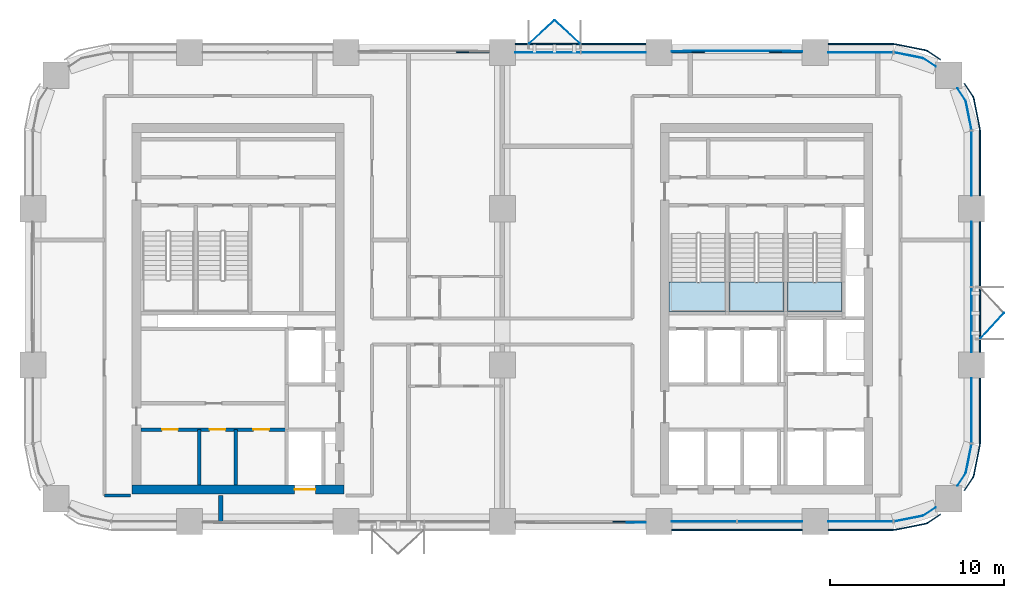
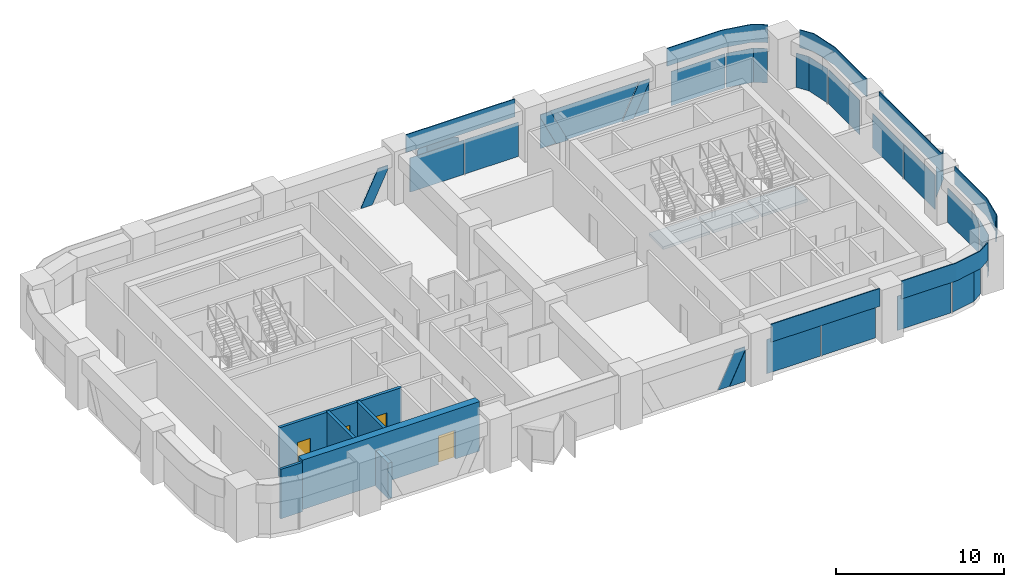
# One storey, part 7 of 13: 32 plates, 6 walls, 4 doors, 3 slabs, 4 openings, 13 elements without a shape of their own.
"""IFC4 building model written with IfcOpenShell, lengths in metres."""

import ifcopenshell
import ifcopenshell.guid

model = None  # the IFC model being written
_history = None  # IfcOwnerHistory: only IFC2X3 demands one
_inside = {}  # id of a spatial element -> (the spatial element, [elements in it])
_under = {}  # id of a project, library or spatial element -> (it, [spatial elements below it])
_declared = {}  # id of a project -> (the project, [libraries it declares])
_typed = {}  # id of a type object -> (the type object, [elements of that type])
_made_of = {}  # id of a material, layer set ... -> (it, [elements and type objects made of it])


def new_model(schema):
    """Start an empty IFC model of exactly this schema.

    Asked for "IFC4X3", IfcOpenShell would pick the latest addendum, in which some entities
    have other attributes; the version numbers below select the first issue.
    IFC2X3 requires an IfcOwnerHistory on every rooted entity: one is made here for all.
    """
    global model, _history
    if schema == "IFC4X3":
        model = ifcopenshell.file(schema_version=(4, 3, 0, 0))
    else:
        model = ifcopenshell.file(schema=schema)
    _inside.clear()
    _under.clear()
    _declared.clear()
    _typed.clear()
    _made_of.clear()
    _history = None
    if model.schema == "IFC2X3":
        org = make("IfcOrganization", Name="unknown")
        user = make(
            "IfcPersonAndOrganization",
            ThePerson=make("IfcPerson", FamilyName="unknown"),
            TheOrganization=org,
        )
        app = make(
            "IfcApplication",
            ApplicationDeveloper=org,
            Version="unknown",
            ApplicationFullName="unknown",
            ApplicationIdentifier="unknown",
        )
        _history = make(
            "IfcOwnerHistory",
            OwningUser=user,
            OwningApplication=app,
            ChangeAction="ADDED",
            CreationDate=0,
        )
    return model


def make(cls, **values):
    """One entity of the class cls with the attributes given. An attribute that is None is left unset."""
    return model.create_entity(
        cls, **{name: value for name, value in values.items() if value is not None}
    )


def rooted(cls, **values):
    """An entity with a GlobalId (a new one), such as an element, a storey or a relation."""
    return make(cls, GlobalId=ifcopenshell.guid.new(), OwnerHistory=_history, **values)


def si_unit(unit_type, name, prefix=None):
    """IfcSIUnit, for example si_unit("LENGTHUNIT", "METRE", prefix="MILLI")."""
    return make("IfcSIUnit", UnitType=unit_type, Prefix=prefix, Name=name)


def assignment(units):
    """IfcUnitAssignment: the units of a project."""
    return None if units is None else make("IfcUnitAssignment", Units=units)


def point(xyz):
    """IfcCartesianPoint."""
    return None if xyz is None else make("IfcCartesianPoint", Coordinates=xyz)


def direction(xyz):
    """IfcDirection."""
    return None if xyz is None else make("IfcDirection", DirectionRatios=xyz)


def frame(location, z_axis=None, x_axis=None):
    """IfcAxis2Placement3D, a coordinate frame: its origin and axes. An axis left out is left unset."""
    return make(
        "IfcAxis2Placement3D",
        Location=point(location),
        Axis=direction(z_axis),
        RefDirection=direction(x_axis),
    )


def frame_2d(location, x_axis=None):
    """IfcAxis2Placement2D, a coordinate frame in the plane: its origin and x axis."""
    return make(
        "IfcAxis2Placement2D", Location=point(location), RefDirection=direction(x_axis)
    )


def origin():
    """The frame at (0, 0, 0) with its axes left unset."""
    return frame((0.0, 0.0, 0.0))


def origin_2d():
    """The frame at (0, 0) in the plane with its x axis left unset."""
    return frame_2d((0.0, 0.0))


def place(relative_to, where):
    """IfcLocalPlacement: puts the frame where relative to a parent placement (None: the world)."""
    return make(
        "IfcLocalPlacement", PlacementRelTo=relative_to, RelativePlacement=where
    )


def context(
    kind, dimensions, precision=None, world=None, true_north=None, identifier=None
):
    """IfcGeometricRepresentationContext, for example the 3D "Model" context."""
    return make(
        "IfcGeometricRepresentationContext",
        ContextIdentifier=identifier,
        ContextType=kind,
        CoordinateSpaceDimension=dimensions,
        Precision=precision,
        WorldCoordinateSystem=world,
        TrueNorth=true_north,
    )


def subcontext(parent, identifier, kind, view, scale=None):
    """IfcGeometricRepresentationSubContext, for example "Body" below "Model"."""
    return make(
        "IfcGeometricRepresentationSubContext",
        ContextIdentifier=identifier,
        ContextType=kind,
        ParentContext=parent,
        TargetScale=scale,
        TargetView=view,
    )


def project(units=None, contexts=None):
    """IfcProject with its units and contexts."""
    return rooted(
        "IfcProject",
        Name="project",
        RepresentationContexts=contexts,
        UnitsInContext=assignment(units),
    )


def spatial(cls, under=None, at=None, **own):
    """A site, building, storey or space (cls), placed at a placement, below another one or the project."""
    s = rooted(cls, ObjectPlacement=at, **own)
    if under is not None:
        _under.setdefault(under.id(), (under, []))[1].append(s)
    return s


def polyline(points):
    """IfcPolyline through the points."""
    return make("IfcPolyline", Points=[point(p) for p in points])


def profile(cls, at=None, kind="AREA", **sizes):
    """A parametric profile (cls). Its sizes go by their IFC names, for example OverallWidth=200.0."""
    return make(cls, ProfileType=kind, Position=at, **sizes)


def rectangle(**sizes):
    """IfcRectangleProfileDef."""
    return profile("IfcRectangleProfileDef", **sizes)


def outline(outer, holes=None, kind="AREA"):
    """IfcArbitraryClosedProfileDef: a profile drawn as a closed curve; with holes, ...WithVoids."""
    if holes is None:
        return make("IfcArbitraryClosedProfileDef", ProfileType=kind, OuterCurve=outer)
    return make(
        "IfcArbitraryProfileDefWithVoids",
        ProfileType=kind,
        OuterCurve=outer,
        InnerCurves=holes,
    )


def extrude(swept, where, along, depth):
    """IfcExtrudedAreaSolid: the profile swept, set in the frame where, extruded along a direction by depth."""
    return make(
        "IfcExtrudedAreaSolid",
        SweptArea=swept,
        Position=where,
        ExtrudedDirection=direction(along),
        Depth=depth,
    )


def shape(context_of_items, identifier, shape_type, items):
    """IfcShapeRepresentation: the items that make up one representation, for example the "Body"."""
    return make(
        "IfcShapeRepresentation",
        ContextOfItems=context_of_items,
        RepresentationIdentifier=identifier,
        RepresentationType=shape_type,
        Items=items,
    )


def material(Name=None, Category=None):
    """IfcMaterial."""
    return make("IfcMaterial", Name=Name, Category=Category)


def layer(
    of_material, thickness, ventilated=None, Name=None, Category=None, Priority=None
):
    """IfcMaterialLayer: one layer of a wall or slab, of a material (None: an air gap)."""
    return make(
        "IfcMaterialLayer",
        Material=of_material,
        LayerThickness=thickness,
        IsVentilated=ventilated,
        Name=Name,
        Category=Category,
        Priority=Priority,
    )


def layer_set(layers, Name=None):
    """IfcMaterialLayerSet."""
    return make("IfcMaterialLayerSet", MaterialLayers=layers, LayerSetName=Name)


def made_of(thing, what):
    """Note that an element or type object is made of a material, layer set ...; save() writes the relation."""
    if what is not None:
        _made_of.setdefault(what.id(), (what, []))[1].append(thing)
    return thing


def type_object(cls, material=None, **own):
    """A type object (cls), such as IfcWallType, which elements share."""
    return made_of(rooted(cls, **own), material)


def element(
    cls,
    number,
    at=None,
    inside=None,
    cuts=None,
    type_object=None,
    material=None,
    context=None,
    identifier="Body",
    shape_type=None,
    held_by="IfcProductDefinitionShape",
    body=None,
    shapes=None,
    **own,
):
    """One element of the class cls, such as IfcWall. Its Tag is "e" and its number.

    at: its placement. inside: the storey or other place that contains it. cuts: it is an
    opening in that element (IfcRelVoidsElement). A single representation is given by context,
    identifier, shape_type and body (its items); several are given by shapes. held_by: the class
    of the entity that holds the representations. save() writes the other relations.
    """
    e = rooted(cls, Tag="e%d" % number, ObjectPlacement=at, **own)
    if body is not None:
        shapes = [shape(context, identifier, shape_type, body)]
    if shapes is not None:
        e.Representation = make(held_by, Representations=shapes)
    if inside is not None:
        _inside.setdefault(inside.id(), (inside, []))[1].append(e)
    if cuts is not None:
        rooted(
            "IfcRelVoidsElement", RelatingBuildingElement=cuts, RelatedOpeningElement=e
        )
    if type_object is not None:
        _typed.setdefault(type_object.id(), (type_object, []))[1].append(e)
    return made_of(e, material)


def fill(opening, filler):
    """IfcRelFillsElement: the door or window that sits in an opening."""
    return rooted(
        "IfcRelFillsElement",
        RelatingOpeningElement=opening,
        RelatedBuildingElement=filler,
    )


def aggregate(whole, parts):
    """IfcRelAggregates: a whole, such as a stair, and the parts it consists of."""
    return rooted("IfcRelAggregates", RelatingObject=whole, RelatedObjects=parts)


def save(model, path):
    """Write the relations noted so far, then the file.

    IfcRelAggregates (storeys below a building ...), IfcRelContainedInSpatialStructure (elements
    in a storey), IfcRelDefinesByType, IfcRelAssociatesMaterial and IfcRelDeclares: one each for
    every whole, place, type object, material and project.
    """
    for whole, parts in _under.values():
        aggregate(whole, parts)
    for where, things in _inside.values():
        rooted(
            "IfcRelContainedInSpatialStructure",
            RelatedElements=things,
            RelatingStructure=where,
        )
    for kind, things in _typed.values():
        rooted("IfcRelDefinesByType", RelatedObjects=things, RelatingType=kind)
    for what, things in _made_of.values():
        rooted("IfcRelAssociatesMaterial", RelatedObjects=things, RelatingMaterial=what)
    for by, libraries in _declared.values():
        rooted("IfcRelDeclares", RelatingContext=by, RelatedDefinitions=libraries)
    model.write(path)


model = new_model("IFC4")

# Units and contexts
model_context = context("Model", 3, precision=1e-05, world=origin(), true_north=direction((0.0, 1.0)))
body_context = subcontext(model_context, "Body", "Model", "MODEL_VIEW")
ifc_project = project(units=[si_unit("LENGTHUNIT", "METRE"), si_unit("AREAUNIT", "SQUARE_METRE"), si_unit("VOLUMEUNIT", "CUBIC_METRE"), si_unit("PLANEANGLEUNIT", "RADIAN"), si_unit("MASSUNIT", "GRAM", prefix="KILO")], contexts=[model_context])

# Site, building, storey
site_placement = place(None, origin())
site = spatial("IfcSite", under=ifc_project, at=site_placement, CompositionType="ELEMENT")
building_placement = place(site_placement, origin())
building = spatial("IfcBuilding", under=site, at=building_placement, Name="Tessera Arch", CompositionType="ELEMENT")
storey_placement = place(building_placement, frame((0.0, 0.0, 162.199951171875)))
storey = spatial("IfcBuildingStorey", under=building, at=storey_placement, Name="L38", CompositionType="ELEMENT", Elevation=162.199951171875)

# Curtain wall, plates
ifc_material_1 = material(Name="CW1 curtain wall")
curtain_wall_type_1 = type_object("IfcCurtainWallType", Name="CW1 curtain wall", PredefinedType="NOTDEFINED", material=ifc_material_1)
curtain_wall_1_placement = place(storey_placement, origin())
curtain_wall_1 = element("IfcCurtainWall", 1, at=curtain_wall_1_placement, inside=storey, type_object=curtain_wall_type_1, Name="CW1 curtain wall E54.27/0 L38", PredefinedType="NOTDEFINED")
ifc_material_2 = material(Name="Clear low-e glass", Category="glass")
ifc_material_3 = material(Name="Clear low-e glass", Category="glass")
ifc_layer_1 = layer(ifc_material_3, 0.028076171875)
ifc_layer_set_1 = layer_set([ifc_layer_1], Name="CW1 glass panel")
plate_type_1 = type_object("IfcPlateType", Name="CW1 glass panel", PredefinedType="CURTAIN_PANEL", material=ifc_layer_set_1)
plate_1_placement = place(storey_placement, frame((54.0, 38.610107421875, 0.0), z_axis=(0.0, 0.0, 1.0), x_axis=(0.0, 1.0, 0.0)))
plate_1 = element("IfcPlate", 2, at=plate_1_placement, type_object=plate_type_1, material=ifc_material_2, Name="CW1 glass panel E54.27/0 1.1.1", PredefinedType="CURTAIN_PANEL", context=body_context, shape_type="SweptSolid", body=[
    extrude(rectangle(XDim=3.719970703125, YDim=0.028076171875, at=origin_2d()), origin(), (0.0, 0.0, 1.0), 2.5),
])
plate_2_placement = place(storey_placement, frame((54.0, 42.389892578125, 0.0), z_axis=(0.0, 0.0, 1.0), x_axis=(0.0, 1.0, 0.0)))
plate_2 = element("IfcPlate", 3, at=plate_2_placement, type_object=plate_type_1, material=ifc_material_2, Name="CW1 glass panel E54.27/0 1.2.1", PredefinedType="CURTAIN_PANEL", context=body_context, shape_type="SweptSolid", body=[
    extrude(rectangle(XDim=3.719970703125, YDim=0.028076171875, at=origin_2d()), origin(), (0.0, 0.0, 1.0), 2.5),
])

curtain_wall_2_placement = place(storey_placement, origin())
curtain_wall_2 = element("IfcCurtainWall", 4, at=curtain_wall_2_placement, inside=storey, type_object=curtain_wall_type_1, Name="CW1 curtain wall N54.0/2 L38", PredefinedType="NOTDEFINED")
plate_3_placement = place(storey_placement, frame((33.389892578125, 54.0, 0.0), z_axis=(0.0, 0.0, 1.0), x_axis=(-1.0, 0.0, 0.0)))
plate_3 = element("IfcPlate", 5, at=plate_3_placement, type_object=plate_type_1, material=ifc_material_2, Name="CW1 glass panel N54.0/2 1.1.1", PredefinedType="CURTAIN_PANEL", context=body_context, shape_type="SweptSolid", body=[
    extrude(rectangle(XDim=3.719970703125, YDim=0.028076171875, at=origin_2d()), origin(), (0.0, 0.0, 1.0), 2.5),
])
plate_4_placement = place(storey_placement, frame((29.610107421875, 54.0, 0.0), z_axis=(0.0, 0.0, 1.0), x_axis=(-1.0, 0.0, 0.0)))
plate_4 = element("IfcPlate", 6, at=plate_4_placement, type_object=plate_type_1, material=ifc_material_2, Name="CW1 glass panel N54.0/2 1.2.1", PredefinedType="CURTAIN_PANEL", context=body_context, shape_type="SweptSolid", body=[
    extrude(rectangle(XDim=3.719970703125, YDim=0.028076171875, at=origin_2d()), origin(), (0.0, 0.0, 1.0), 2.5),
])

curtain_wall_3_placement = place(storey_placement, origin())
curtain_wall_3 = element("IfcCurtainWall", 7, at=curtain_wall_3_placement, inside=storey, type_object=curtain_wall_type_1, Name="CW1 curtain wall S27.0/4 L38", PredefinedType="NOTDEFINED")
plate_5_placement = place(storey_placement, frame((38.610107421875, 27.0, 0.0), z_axis=(0.0, 0.0, 1.0), x_axis=(1.0, 0.0, 0.0)))
plate_5 = element("IfcPlate", 8, at=plate_5_placement, type_object=plate_type_1, material=ifc_material_2, Name="CW1 glass panel S27.0/4 1.1.1", PredefinedType="CURTAIN_PANEL", context=body_context, shape_type="SweptSolid", body=[
    extrude(rectangle(XDim=3.719970703125, YDim=0.028076171875, at=origin_2d()), origin(), (0.0, 0.0, 1.0), 2.5),
])
plate_6_placement = place(storey_placement, frame((42.389892578125, 27.0, 0.0), z_axis=(0.0, 0.0, 1.0), x_axis=(1.0, 0.0, 0.0)))
plate_6 = element("IfcPlate", 9, at=plate_6_placement, type_object=plate_type_1, material=ifc_material_2, Name="CW1 glass panel S27.0/4 1.2.1", PredefinedType="CURTAIN_PANEL", context=body_context, shape_type="SweptSolid", body=[
    extrude(rectangle(XDim=3.719970703125, YDim=0.028076171875, at=origin_2d()), origin(), (0.0, 0.0, 1.0), 2.5),
])

# Plate
ifc_material_4 = material(Name="Pale anodised aluminium panel", Category="aluminium")
ifc_layer_2 = layer(ifc_material_4, 0.06005859375)
ifc_layer_set_2 = layer_set([ifc_layer_2], Name="CW1 spandrel panel")
plate_type_2 = type_object("IfcPlateType", Name="CW1 spandrel panel", PredefinedType="CURTAIN_PANEL", material=ifc_layer_set_2)
plate_7_placement = place(storey_placement, frame((54.47998046875, 40.5, 2.60009765625), z_axis=(0.0, 0.0, 1.0), x_axis=(0.0, 1.0, 0.0)))
plate_7 = element("IfcPlate", 10, at=plate_7_placement, type_object=plate_type_2, Name="CW1 spandrel panel E54.27/0", PredefinedType="CURTAIN_PANEL", context=body_context, shape_type="SweptSolid", body=[
    extrude(rectangle(XDim=7.5, YDim=0.06005859375, at=origin_2d()), origin(), (0.0, 0.0, 1.0), 1.300048828125),
])

aggregate(curtain_wall_1, [plate_1, plate_2, plate_7])

plate_8_placement = place(storey_placement, frame((31.5, 54.47998046875, 2.60009765625), z_axis=(0.0, 0.0, 1.0), x_axis=(-1.0, 0.0, 0.0)))
plate_8 = element("IfcPlate", 11, at=plate_8_placement, type_object=plate_type_2, Name="CW1 spandrel panel N54.0/2", PredefinedType="CURTAIN_PANEL", context=body_context, shape_type="SweptSolid", body=[
    extrude(rectangle(XDim=7.5, YDim=0.06005859375, at=origin_2d()), origin(), (0.0, 0.0, 1.0), 1.300048828125),
])

aggregate(curtain_wall_2, [plate_3, plate_4, plate_8])

plate_9_placement = place(storey_placement, frame((40.5, 26.52001953125, 2.60009765625), z_axis=(0.0, 0.0, 1.0), x_axis=(1.0, 0.0, 0.0)))
plate_9 = element("IfcPlate", 12, at=plate_9_placement, type_object=plate_type_2, Name="CW1 spandrel panel S27.0/4", PredefinedType="CURTAIN_PANEL", context=body_context, shape_type="SweptSolid", body=[
    extrude(rectangle(XDim=7.5, YDim=0.06005859375, at=origin_2d()), origin(), (0.0, 0.0, 1.0), 1.300048828125),
])

aggregate(curtain_wall_3, [plate_5, plate_6, plate_9])

# Curtain wall, plates
ifc_material_5 = material(Name="CW2 curtain wall")
curtain_wall_type_2 = type_object("IfcCurtainWallType", Name="CW2 curtain wall", PredefinedType="NOTDEFINED", material=ifc_material_5)
curtain_wall_4_placement = place(storey_placement, origin())
curtain_wall_4 = element("IfcCurtainWall", 13, at=curtain_wall_4_placement, inside=storey, type_object=curtain_wall_type_2, Name="CW2 curtain wall E54.27/1 L38", PredefinedType="NOTDEFINED")
ifc_material_6 = material(Name="Clear low-e glass", Category="glass")
ifc_layer_3 = layer(ifc_material_6, 0.028076171875)
ifc_layer_set_3 = layer_set([ifc_layer_3], Name="CW2 glass panel")
plate_type_3 = type_object("IfcPlateType", Name="CW2 glass panel", PredefinedType="CURTAIN_PANEL", material=ifc_layer_set_3)
plate_10_placement = place(storey_placement, frame((54.0, 47.60498046875, 0.0), z_axis=(0.0, 0.0, 1.0), x_axis=(0.0, 1.0, 0.0)))
plate_10 = element("IfcPlate", 14, at=plate_10_placement, type_object=plate_type_3, material=ifc_material_2, Name="CW2 glass panel E54.27/1 1.1", PredefinedType="CURTAIN_PANEL", context=body_context, shape_type="SweptSolid", body=[
    extrude(rectangle(XDim=3.7099609375, YDim=0.028076171875, at=origin_2d()), origin(), (0.0, 0.0, 1.0), 2.5),
])
plate_11_placement = place(storey_placement, origin())
plate_11 = element("IfcPlate", 15, at=plate_11_placement, type_object=plate_type_3, material=ifc_material_2, Name="CW2 curved glass panel E54.27/1 2.1", PredefinedType="CURTAIN_PANEL", context=body_context, shape_type="SweptSolid", body=[
    extrude(outline(polyline([(53.644287109375, 51.216552734375), (53.978515625, 49.53662109375), (54.005859375, 49.5419921875), (53.670654296875, 51.2275390625), (53.19482421875, 51.939697265625), (53.17138671875, 51.92431640625), (53.644287109375, 51.216552734375)])), origin(), (0.0, 0.0, 1.0), 2.5),
])

curtain_wall_5_placement = place(storey_placement, origin())
curtain_wall_5 = element("IfcCurtainWall", 16, at=curtain_wall_5_placement, inside=storey, type_object=curtain_wall_type_2, Name="CW2 curtain wall N54.0/0 L38", PredefinedType="NOTDEFINED")
plate_12_placement = place(storey_placement, frame((47.60498046875, 54.0, 0.0), z_axis=(0.0, 0.0, 1.0), x_axis=(-1.0, 0.0, 0.0)))
plate_12 = element("IfcPlate", 17, at=plate_12_placement, type_object=plate_type_3, material=ifc_material_2, Name="CW2 glass panel N54.0/0 1.1", PredefinedType="CURTAIN_PANEL", context=body_context, shape_type="SweptSolid", body=[
    extrude(rectangle(XDim=3.7099609375, YDim=0.028076171875, at=origin_2d()), origin(), (0.0, 0.0, 1.0), 2.5),
])
plate_13_placement = place(storey_placement, origin())
plate_13 = element("IfcPlate", 18, at=plate_13_placement, type_object=plate_type_3, material=ifc_material_2, Name="CW2 curved glass panel N54.0/0 2.1", PredefinedType="CURTAIN_PANEL", context=body_context, shape_type="SweptSolid", body=[
    extrude(outline(polyline([(51.216552734375, 53.644287109375), (51.92431640625, 53.17138671875), (51.939697265625, 53.19482421875), (51.2275390625, 53.670654296875), (49.5419921875, 54.005859375), (49.53662109375, 53.978515625), (51.216552734375, 53.644287109375)])), origin(), (0.0, 0.0, 1.0), 2.5),
])

curtain_wall_6_placement = place(storey_placement, origin())
curtain_wall_6 = element("IfcCurtainWall", 19, at=curtain_wall_6_placement, inside=storey, type_object=curtain_wall_type_2, Name="CW2 curtain wall S27.0/5 L38", PredefinedType="NOTDEFINED")
plate_14_placement = place(storey_placement, frame((47.60498046875, 27.0, 0.0), z_axis=(0.0, 0.0, 1.0), x_axis=(1.0, 0.0, 0.0)))
plate_14 = element("IfcPlate", 20, at=plate_14_placement, type_object=plate_type_3, material=ifc_material_2, Name="CW2 glass panel S27.0/5 1.1", PredefinedType="CURTAIN_PANEL", context=body_context, shape_type="SweptSolid", body=[
    extrude(rectangle(XDim=3.7099609375, YDim=0.028076171875, at=origin_2d()), origin(), (0.0, 0.0, 1.0), 2.5),
])
plate_15_placement = place(storey_placement, origin())
plate_15 = element("IfcPlate", 21, at=plate_15_placement, type_object=plate_type_3, material=ifc_material_2, Name="CW2 curved glass panel S27.0/5 2.1", PredefinedType="CURTAIN_PANEL", context=body_context, shape_type="SweptSolid", body=[
    extrude(outline(polyline([(51.216552734375, 27.355712890625), (49.53662109375, 27.021484375), (49.5419921875, 26.994140625), (51.2275390625, 27.329345703125), (51.939697265625, 27.80517578125), (51.92431640625, 27.82861328125), (51.216552734375, 27.355712890625)])), origin(), (0.0, 0.0, 1.0), 2.5),
])

curtain_wall_7_placement = place(storey_placement, origin())
curtain_wall_7 = element("IfcCurtainWall", 22, at=curtain_wall_7_placement, inside=storey, type_object=curtain_wall_type_2, Name="CW2 curtain wall E54.27/2 L38", PredefinedType="NOTDEFINED")
plate_16_placement = place(storey_placement, frame((54.0, 33.39501953125, 0.0), z_axis=(0.0, 0.0, 1.0), x_axis=(0.0, 1.0, 0.0)))
plate_16 = element("IfcPlate", 23, at=plate_16_placement, type_object=plate_type_3, material=ifc_material_2, Name="CW2 glass panel E54.27/2 1.1", PredefinedType="CURTAIN_PANEL", context=body_context, shape_type="SweptSolid", body=[
    extrude(rectangle(XDim=3.7099609375, YDim=0.028076171875, at=origin_2d()), origin(), (0.0, 0.0, 1.0), 2.5),
])
plate_17_placement = place(storey_placement, origin())
plate_17 = element("IfcPlate", 24, at=plate_17_placement, type_object=plate_type_3, material=ifc_material_2, Name="CW2 curved glass panel E54.27/2 2.1", PredefinedType="CURTAIN_PANEL", context=body_context, shape_type="SweptSolid", body=[
    extrude(outline(polyline([(53.644287109375, 29.783447265625), (53.17138671875, 29.07568359375), (53.19482421875, 29.060302734375), (53.670654296875, 29.7724609375), (54.005859375, 31.4580078125), (53.978515625, 31.46337890625), (53.644287109375, 29.783447265625)])), origin(), (0.0, 0.0, 1.0), 2.5),
])

# Plate
ifc_material_7 = material(Name="Pale anodised aluminium panel", Category="aluminium")
ifc_layer_4 = layer(ifc_material_7, 0.06005859375)
ifc_layer_set_4 = layer_set([ifc_layer_4], Name="CW2 spandrel panel")
plate_type_4 = type_object("IfcPlateType", Name="CW2 spandrel panel", PredefinedType="CURTAIN_PANEL", material=ifc_layer_set_4)
plate_18_placement = place(storey_placement, frame((0.0, 0.0, 2.60009765625)))
plate_18 = element("IfcPlate", 25, at=plate_18_placement, type_object=plate_type_4, Name="CW2 spandrel panel E54.27/1", PredefinedType="CURTAIN_PANEL", context=body_context, shape_type="SweptSolid", body=[
    extrude(outline(polyline([(54.449951171875, 49.499267578125), (54.449951171875, 45.75), (54.510009765625, 45.75), (54.510009765625, 49.500732421875), (54.507568359375, 49.550048828125), (54.500244140625, 49.598876953125), (54.157470703125, 51.322265625), (54.1455078125, 51.3701171875), (54.128662109375, 51.417236328125), (54.107421875, 51.462646484375), (54.08203125, 51.5048828125), (53.607177734375, 52.21533203125), (53.55712890625, 52.18212890625), (54.03125, 51.47265625), (54.054443359375, 51.434326171875), (54.0732421875, 51.394287109375), (54.088134765625, 51.352783203125), (54.09912109375, 51.30908203125), (54.441162109375, 49.588623046875), (54.44775390625, 49.544189453125), (54.449951171875, 49.499267578125)])), origin(), (0.0, 0.0, 1.0), 1.300048828125),
])

aggregate(curtain_wall_4, [plate_10, plate_11, plate_18])

plate_19_placement = place(storey_placement, frame((0.0, 0.0, 2.60009765625)))
plate_19 = element("IfcPlate", 26, at=plate_19_placement, type_object=plate_type_4, Name="CW2 spandrel panel N54.0/0", PredefinedType="CURTAIN_PANEL", context=body_context, shape_type="SweptSolid", body=[
    extrude(outline(polyline([(51.47265625, 54.03125), (52.18212890625, 53.55712890625), (52.21533203125, 53.607177734375), (51.5048828125, 54.08203125), (51.462646484375, 54.107421875), (51.417236328125, 54.128662109375), (51.3701171875, 54.1455078125), (51.322265625, 54.157470703125), (49.598876953125, 54.500244140625), (49.550048828125, 54.507568359375), (49.500732421875, 54.510009765625), (45.75, 54.510009765625), (45.75, 54.449951171875), (49.499267578125, 54.449951171875), (49.544189453125, 54.44775390625), (49.588623046875, 54.441162109375), (51.30908203125, 54.09912109375), (51.352783203125, 54.088134765625), (51.394287109375, 54.0732421875), (51.434326171875, 54.054443359375), (51.47265625, 54.03125)])), origin(), (0.0, 0.0, 1.0), 1.300048828125),
])

aggregate(curtain_wall_5, [plate_12, plate_13, plate_19])

plate_20_placement = place(storey_placement, frame((0.0, 0.0, 2.60009765625)))
plate_20 = element("IfcPlate", 27, at=plate_20_placement, type_object=plate_type_4, Name="CW2 spandrel panel S27.0/5", PredefinedType="CURTAIN_PANEL", context=body_context, shape_type="SweptSolid", body=[
    extrude(outline(polyline([(49.499267578125, 26.550048828125), (45.75, 26.550048828125), (45.75, 26.489990234375), (49.500732421875, 26.489990234375), (49.550048828125, 26.492431640625), (49.598876953125, 26.499755859375), (51.322265625, 26.842529296875), (51.3701171875, 26.8544921875), (51.417236328125, 26.871337890625), (51.462646484375, 26.892578125), (51.5048828125, 26.91796875), (52.21533203125, 27.392822265625), (52.18212890625, 27.44287109375), (51.47265625, 26.96875), (51.434326171875, 26.945556640625), (51.394287109375, 26.9267578125), (51.352783203125, 26.911865234375), (51.30908203125, 26.90087890625), (49.588623046875, 26.558837890625), (49.544189453125, 26.55224609375), (49.499267578125, 26.550048828125)])), origin(), (0.0, 0.0, 1.0), 1.300048828125),
])

aggregate(curtain_wall_6, [plate_14, plate_15, plate_20])

plate_21_placement = place(storey_placement, frame((0.0, 0.0, 2.60009765625)))
plate_21 = element("IfcPlate", 28, at=plate_21_placement, type_object=plate_type_4, Name="CW2 spandrel panel E54.27/2", PredefinedType="CURTAIN_PANEL", context=body_context, shape_type="SweptSolid", body=[
    extrude(outline(polyline([(54.03125, 29.52734375), (53.55712890625, 28.81787109375), (53.607177734375, 28.78466796875), (54.08203125, 29.4951171875), (54.107421875, 29.537353515625), (54.128662109375, 29.582763671875), (54.1455078125, 29.6298828125), (54.157470703125, 29.677734375), (54.500244140625, 31.401123046875), (54.507568359375, 31.449951171875), (54.510009765625, 31.499267578125), (54.510009765625, 35.25), (54.449951171875, 35.25), (54.449951171875, 31.500732421875), (54.44775390625, 31.455810546875), (54.441162109375, 31.411376953125), (54.09912109375, 29.69091796875), (54.088134765625, 29.647216796875), (54.0732421875, 29.605712890625), (54.054443359375, 29.565673828125), (54.03125, 29.52734375)])), origin(), (0.0, 0.0, 1.0), 1.300048828125),
])

aggregate(curtain_wall_7, [plate_16, plate_17, plate_21])

# Curtain wall, plates
ifc_material_8 = material(Name="CW3 curtain wall")
curtain_wall_type_3 = type_object("IfcCurtainWallType", Name="CW3 curtain wall", PredefinedType="NOTDEFINED", material=ifc_material_8)
curtain_wall_8_placement = place(storey_placement, origin())
curtain_wall_8 = element("IfcCurtainWall", 29, at=curtain_wall_8_placement, inside=storey, type_object=curtain_wall_type_3, Name="CW3 curtain wall N54.0/1 L38", PredefinedType="NOTDEFINED")
ifc_material_9 = material(Name="Pale anodised aluminium panel", Category="aluminium")
ifc_layer_5 = layer(ifc_material_9, 0.06005859375)
ifc_layer_set_5 = layer_set([ifc_layer_5], Name="CW3 diagonal panel")
plate_type_5 = type_object("IfcPlateType", Name="CW3 diagonal panel", PredefinedType="CURTAIN_PANEL", material=ifc_layer_set_5)
plate_22_placement = place(storey_placement, frame((36.75, 54.030029296875, 2.5), z_axis=(0.0, 1.0, 0.0), x_axis=(1.0, 0.0, 0.0)))
plate_22 = element("IfcPlate", 30, at=plate_22_placement, type_object=plate_type_5, Name="CW3 diagonal panel N54.0/1 1", PredefinedType="CURTAIN_PANEL", context=body_context, shape_type="SweptSolid", body=[
    extrude(outline(polyline([(0.0, 0.0), (0.688720703125, 0.0), (1.890625, 2.5), (1.090087890625, 2.5), (0.0, 0.232421875), (0.0, 0.0)])), origin(), (0.0, 0.0, -1.0), 0.06005859375),
])
plate_23_placement = place(storey_placement, frame((44.25, 54.030029296875, 2.5), z_axis=(0.0, 1.0, 0.0), x_axis=(0.0, 0.0, -1.0)))
plate_23 = element("IfcPlate", 31, at=plate_23_placement, type_object=plate_type_5, Name="CW3 diagonal panel N54.0/1 2", PredefinedType="CURTAIN_PANEL", context=body_context, shape_type="SweptSolid", body=[
    extrude(outline(polyline([(0.0, 0.0), (0.232421875, 0.0), (2.5, 1.090087890625), (2.5, 1.890625), (0.0, 0.688720703125), (0.0, 0.0)])), origin(), (0.0, 0.0, -1.0), 0.06005859375),
])

# Curtain wall, plate
curtain_wall_9_placement = place(storey_placement, origin())
curtain_wall_9 = element("IfcCurtainWall", 32, at=curtain_wall_9_placement, inside=storey, type_object=curtain_wall_type_3, Name="CW3 curtain wall N54.0/3 L38", PredefinedType="NOTDEFINED")
plate_24_placement = place(storey_placement, frame((26.25, 54.030029296875, 2.5), z_axis=(0.0, 1.0, 0.0), x_axis=(0.0, 0.0, -1.0)))
plate_24 = element("IfcPlate", 33, at=plate_24_placement, type_object=plate_type_5, Name="CW3 diagonal panel N54.0/3 2", PredefinedType="CURTAIN_PANEL", context=body_context, shape_type="SweptSolid", body=[
    extrude(outline(polyline([(0.0, 0.0), (0.232421875, 0.0), (2.5, 1.090087890625), (2.5, 1.890625), (0.0, 0.688720703125), (0.0, 0.0)])), origin(), (0.0, 0.0, -1.0), 0.06005859375),
])
aggregate(curtain_wall_9, [plate_24])

curtain_wall_10_placement = place(storey_placement, origin())
curtain_wall_10 = element("IfcCurtainWall", 34, at=curtain_wall_10_placement, inside=storey, type_object=curtain_wall_type_3, Name="CW3 curtain wall S27.0/3 L38", PredefinedType="NOTDEFINED")
plate_25_placement = place(storey_placement, frame((35.25, 26.969970703125, 2.5), z_axis=(0.0, -1.0, 0.0), x_axis=(-1.0, 0.0, 0.0)))
plate_25 = element("IfcPlate", 35, at=plate_25_placement, type_object=plate_type_5, Name="CW3 diagonal panel S27.0/3 1", PredefinedType="CURTAIN_PANEL", context=body_context, shape_type="SweptSolid", body=[
    extrude(outline(polyline([(0.0, 0.0), (0.688720703125, 0.0), (1.890625, 2.5), (1.090087890625, 2.5), (0.0, 0.232421875), (0.0, 0.0)])), origin(), (0.0, 0.0, -1.0), 0.06005859375),
])

# Plate
ifc_material_10 = material(Name="Clear low-e glass", Category="glass")
ifc_layer_6 = layer(ifc_material_10, 0.028076171875)
ifc_layer_set_6 = layer_set([ifc_layer_6], Name="CW3 glass panel")
plate_type_6 = type_object("IfcPlateType", Name="CW3 glass panel", PredefinedType="CURTAIN_PANEL", material=ifc_layer_set_6)
plate_26_placement = place(storey_placement, frame((44.25, 54.05810546875, 0.0), z_axis=(0.0, 1.0, 0.0), x_axis=(-1.0, 0.0, 0.0)))
plate_26 = element("IfcPlate", 36, at=plate_26_placement, type_object=plate_type_6, material=ifc_material_2, Name="CW3 triangulated glass panel N54.0/1 1", PredefinedType="CURTAIN_PANEL", context=body_context, shape_type="SweptSolid", body=[
    extrude(outline(polyline([(0.0, 0.0), (1.090087890625, 0.0), (0.0, 2.267578125), (0.0, 0.0)])), origin(), (0.0, 0.0, -1.0), 0.028076171875),
])

plate_27_placement = place(storey_placement, frame((37.438720703125, 54.0859375, 2.5), z_axis=(0.0, 1.0, 0.0), x_axis=(1.0, 0.0, 0.0)))
plate_27 = element("IfcPlate", 37, at=plate_27_placement, type_object=plate_type_6, material=ifc_material_2, Name="CW3 triangulated glass panel N54.0/1 2", PredefinedType="CURTAIN_PANEL", context=body_context, shape_type="SweptSolid", body=[
    extrude(outline(polyline([(0.0, 0.0), (6.12255859375, 0.0), (4.920654296875, 2.5), (1.201904296875, 2.5), (0.0, 0.0)])), origin(), (0.0, 0.0, -1.0), 0.028076171875),
])

plate_28_placement = place(storey_placement, frame((36.75, 54.05810546875, 0.0), z_axis=(0.0, 1.0, 0.0), x_axis=(0.0, 0.0, 1.0)))
plate_28 = element("IfcPlate", 38, at=plate_28_placement, type_object=plate_type_6, material=ifc_material_2, Name="CW3 triangulated glass panel N54.0/1 3", PredefinedType="CURTAIN_PANEL", context=body_context, shape_type="SweptSolid", body=[
    extrude(outline(polyline([(0.0, 0.0), (2.267578125, 0.0), (0.0, 1.090087890625), (0.0, 0.0)])), origin(), (0.0, 0.0, -1.0), 0.028076171875),
])

aggregate(curtain_wall_8, [plate_26, plate_27, plate_28, plate_22, plate_23])

plate_29_placement = place(storey_placement, frame((35.25, 26.94189453125, 0.0), z_axis=(0.0, -1.0, 0.0), x_axis=(0.0, 0.0, 1.0)))
plate_29 = element("IfcPlate", 39, at=plate_29_placement, type_object=plate_type_6, material=ifc_material_2, Name="CW3 triangulated glass panel S27.0/3 3", PredefinedType="CURTAIN_PANEL", context=body_context, shape_type="SweptSolid", body=[
    extrude(outline(polyline([(0.0, 0.0), (2.267578125, 0.0), (0.0, 1.090087890625), (0.0, 0.0)])), origin(), (0.0, 0.0, -1.0), 0.028076171875),
])

aggregate(curtain_wall_10, [plate_29, plate_25])

# Stair, slab
ifc_material_11 = material(Name="Concrete C40/50", Category="concrete")
stair_type = type_object("IfcStairType", Name="Dogleg stair 1520", PredefinedType="HALF_TURN_STAIR", material=ifc_material_11)
stair_1_placement = place(storey_placement, origin())
stair_1 = element("IfcStair", 40, at=stair_1_placement, inside=storey, type_object=stair_type, Name="L38 S1a", PredefinedType="HALF_TURN_STAIR")
ifc_material_12 = material(Name="Concrete C40/50", Category="concrete")
ifc_layer_7 = layer(ifc_material_12, 0.300048828125)
ifc_layer_set_7 = layer_set([ifc_layer_7], Name="Stair landing 300")
slab_type = type_object("IfcSlabType", Name="Stair landing 300", PredefinedType="LANDING", material=ifc_layer_set_7)
slab_1_placement = place(storey_placement, frame((0.0, 0.0, 1.75)))
slab_1 = element("IfcSlab", 41, at=slab_1_placement, type_object=slab_type, Name="S1a landing 1", PredefinedType="LANDING", context=body_context, shape_type="SweptSolid", body=[
    extrude(outline(polyline([(36.60009765625, 40.780029296875), (36.60009765625, 39.10009765625), (39.85009765625, 39.10009765625), (39.85009765625, 40.780029296875), (36.60009765625, 40.780029296875)])), origin(), (0.0, 0.0, 1.0), 0.199951171875),
])
aggregate(stair_1, [slab_1])

stair_2_placement = place(storey_placement, origin())
stair_2 = element("IfcStair", 42, at=stair_2_placement, inside=storey, type_object=stair_type, Name="L38 S1b", PredefinedType="HALF_TURN_STAIR")
slab_2_placement = place(storey_placement, frame((0.0, 0.0, 1.75)))
slab_2 = element("IfcSlab", 43, at=slab_2_placement, type_object=slab_type, Name="S1b landing 1", PredefinedType="LANDING", context=body_context, shape_type="SweptSolid", body=[
    extrude(outline(polyline([(40.050048828125, 40.780029296875), (40.050048828125, 39.10009765625), (43.199951171875, 39.10009765625), (43.199951171875, 40.780029296875), (40.050048828125, 40.780029296875)])), origin(), (0.0, 0.0, 1.0), 0.199951171875),
])
aggregate(stair_2, [slab_2])

stair_3_placement = place(storey_placement, origin())
stair_3 = element("IfcStair", 44, at=stair_3_placement, inside=storey, type_object=stair_type, Name="L38 S1c", PredefinedType="HALF_TURN_STAIR")
slab_3_placement = place(storey_placement, frame((0.0, 0.0, 1.75)))
slab_3 = element("IfcSlab", 45, at=slab_3_placement, type_object=slab_type, Name="S1c landing 1", PredefinedType="LANDING", context=body_context, shape_type="SweptSolid", body=[
    extrude(outline(polyline([(43.39990234375, 40.780029296875), (43.39990234375, 39.10009765625), (46.550048828125, 39.10009765625), (46.550048828125, 40.780029296875), (43.39990234375, 40.780029296875)])), origin(), (0.0, 0.0, 1.0), 0.199951171875),
])
aggregate(stair_3, [slab_3])

# Plates
ifc_material_13 = material(Name="Clear low-e glass", Category="glass")
ifc_layer_8 = layer(ifc_material_13, 0.028076171875)
ifc_layer_set_8 = layer_set([ifc_layer_8], Name="Window box glass facet")
plate_type_7 = type_object("IfcPlateType", Name="Window box glass facet", PredefinedType="SHEET", material=ifc_layer_set_8)
for number, where, z_axis, x_axis, name in (
    (46, (30.72509765625, 55.179931640625, 0.22021484375), (0.0, 0.0, 1.0), (-0.734414958885, 0.678700720617, 0.0), "Window box N54.0/2.1 1x1 glass"),
    (47, (29.27490234375, 55.179931640625, 0.22021484375), (0.0, 0.0, 1.0), (0.734414958885, 0.678700720617, 0.0), "Window box N54.0/2.1 1x1 glass"),
    (48, (55.179931640625, 38.27490234375, 0.22021484375), (0.0, 0.0, 1.0), (0.678700720617, 0.734414958885, 0.0), "Window box E54.27/0.0 1x1 glass"),
):
    element("IfcPlate", number, at=place(storey_placement, frame(where, z_axis=z_axis, x_axis=x_axis)), inside=storey, type_object=plate_type_7, Name=name, PredefinedType="SHEET", context=body_context, shape_type="SweptSolid", body=[
        extrude(rectangle(XDim=1.974365234375, YDim=0.028076171875, at=origin_2d()), origin(), (0.0, 0.0, 1.0), 2.159912109375),
    ])

# Walls
ifc_material_14 = material(Name="Gypsum board on steel stud", Category="steel")
ifc_layer_9 = layer(ifc_material_14, 0.125)
ifc_layer_set_9 = layer_set([ifc_layer_9], Name="Core partition 125 EI 60")
wall_type_1 = type_object("IfcWallType", Name="Core partition 125 EI 60", PredefinedType="PARTITIONING", material=ifc_layer_set_9)
for number, where, z_axis, x_axis, name in (
    (49, (9.56005859375, 29.10009765625, 0.0), (0.0, 0.0, 1.0), (0.0, 1.0, 0.0), "L38 C2 partition wall 3"),
    (50, (11.659912109375, 29.10009765625, 0.0), (0.0, 0.0, 1.0), (0.0, 1.0, 0.0), "L38 C2 partition wall 4"),
):
    element("IfcWall", number, at=place(storey_placement, frame(where, z_axis=z_axis, x_axis=x_axis)), inside=storey, type_object=wall_type_1, Name=name, PredefinedType="PARTITIONING", context=body_context, shape_type="SweptSolid", body=[
        extrude(rectangle(XDim=3.199951171875, YDim=0.199951171875, at=frame_2d((1.60009765625, 0.0))), origin(), (0.0, 0.0, 1.0), 3.60009765625),
    ])

# Wall, openings, doors
wall_1_placement = place(storey_placement, frame((6.199951171875, 32.300048828125, 0.0), z_axis=(0.0, 0.0, 1.0), x_axis=(1.0, 0.0, 0.0)))
wall_1 = element("IfcWall", 51, at=wall_1_placement, inside=storey, type_object=wall_type_1, Name="L38 C2 partition wall 14", PredefinedType="PARTITIONING", context=body_context, shape_type="SweptSolid", body=[
    extrude(rectangle(XDim=8.400146484375, YDim=0.199951171875, at=frame_2d((4.2001953125, 0.0))), origin(), (0.0, 0.0, 1.0), 3.60009765625),
])
opening_1_placement = place(wall_1_placement, frame((1.22998046875, 0.0, 0.0)))
opening_1 = element("IfcOpeningElement", 52, at=opening_1_placement, cuts=wall_1, Name="Opening L38-C34", PredefinedType="OPENING", context=body_context, shape_type="SweptSolid", body=[
    extrude(rectangle(XDim=0.89990234375, YDim=2.10009765625, at=frame_2d((0.449951171875, 1.050048828125))), frame((0.0, 0.10986328125, 0.0), z_axis=(0.0, -1.0, 0.0), x_axis=(1.0, 0.0, 0.0)), (0.0, 0.0, 1.0), 0.219970703125),
])
opening_2_placement = place(wall_1_placement, frame((3.9599609375, 0.0, 0.0)))
opening_2 = element("IfcOpeningElement", 53, at=opening_2_placement, cuts=wall_1, Name="Opening L38-C35", PredefinedType="OPENING", context=body_context, shape_type="SweptSolid", body=[
    extrude(rectangle(XDim=0.89990234375, YDim=2.10009765625, at=frame_2d((0.449951171875, 1.050048828125))), frame((0.0, 0.10986328125, 0.0), z_axis=(0.0, -1.0, 0.0), x_axis=(1.0, 0.0, 0.0)), (0.0, 0.0, 1.0), 0.219970703125),
])
opening_3_placement = place(wall_1_placement, frame((6.47998046875, 0.0, 0.0)))
opening_3 = element("IfcOpeningElement", 54, at=opening_3_placement, cuts=wall_1, Name="Opening L38-C36", PredefinedType="OPENING", context=body_context, shape_type="SweptSolid", body=[
    extrude(rectangle(XDim=0.89990234375, YDim=2.10009765625, at=frame_2d((0.449951171875, 1.050048828125))), frame((0.0, 0.10986328125, 0.0), z_axis=(0.0, -1.0, 0.0), x_axis=(1.0, 0.0, 0.0)), (0.0, 0.0, 1.0), 0.219970703125),
])
ifc_material_15 = material(Name="Steel door leaf", Category="steel")
door_type_1 = type_object("IfcDoorType", Name="Store door FD30S 900 x 2100", OperationType="SINGLE_SWING_LEFT", PredefinedType="DOOR", material=ifc_material_15)
door_1_placement = place(opening_1_placement, origin())
door_1 = element("IfcDoor", 55, at=door_1_placement, inside=storey, type_object=door_type_1, Name="L38 C2 door 14 C34 type D09", OperationType="SINGLE_SWING_LEFT", OverallHeight=2.10009765625, OverallWidth=0.89990234375, PredefinedType="DOOR", context=body_context, shape_type="SweptSolid", body=[
    extrude(rectangle(XDim=0.89990234375, YDim=2.10009765625, at=frame_2d((0.449951171875, 1.050048828125))), frame((0.0, 0.02490234375, 0.0), z_axis=(0.0, -1.0, 0.0), x_axis=(1.0, 0.0, 0.0)), (0.0, 0.0, 1.0), 0.050048828125),
])
fill(opening_1, door_1)
door_2_placement = place(opening_2_placement, origin())
door_2 = element("IfcDoor", 56, at=door_2_placement, inside=storey, type_object=door_type_1, Name="L38 C2 door 15 C35 type D09", OperationType="SINGLE_SWING_RIGHT", OverallHeight=2.10009765625, OverallWidth=0.89990234375, PredefinedType="DOOR", context=body_context, shape_type="SweptSolid", body=[
    extrude(rectangle(XDim=0.89990234375, YDim=2.10009765625, at=frame_2d((0.449951171875, 1.050048828125))), frame((0.0, 0.02490234375, 0.0), z_axis=(0.0, -1.0, 0.0), x_axis=(1.0, 0.0, 0.0)), (0.0, 0.0, 1.0), 0.050048828125),
])
fill(opening_2, door_2)
door_3_placement = place(opening_3_placement, origin())
door_3 = element("IfcDoor", 57, at=door_3_placement, inside=storey, type_object=door_type_1, Name="L38 C2 door 16 C36 type D09", OperationType="SINGLE_SWING_RIGHT", OverallHeight=2.10009765625, OverallWidth=0.89990234375, PredefinedType="DOOR", context=body_context, shape_type="SweptSolid", body=[
    extrude(rectangle(XDim=0.89990234375, YDim=2.10009765625, at=frame_2d((0.449951171875, 1.050048828125))), frame((0.0, 0.02490234375, 0.0), z_axis=(0.0, -1.0, 0.0), x_axis=(1.0, 0.0, 0.0)), (0.0, 0.0, 1.0), 0.050048828125),
])
fill(opening_3, door_3)

# Wall, opening, door
ifc_material_16 = material(Name="Concrete C60/75", Category="concrete")
ifc_layer_10 = layer(ifc_material_16, 0.5)
ifc_layer_set_10 = layer_set([ifc_layer_10], Name="Core shell wall 500 C60-75")
wall_type_2 = type_object("IfcWallType", Name="Core shell wall 500 C60-75", PredefinedType="SHEAR", material=ifc_layer_set_10)
wall_2_placement = place(storey_placement, frame((5.699951171875, 28.85009765625, 0.0), z_axis=(0.0, 0.0, 1.0), x_axis=(1.0, 0.0, 0.0)))
wall_2 = element("IfcWall", 58, at=wall_2_placement, inside=storey, type_object=wall_type_2, Name="L38 C2 core wall S", PredefinedType="SHEAR", context=body_context, shape_type="SweptSolid", body=[
    extrude(rectangle(XDim=12.199951171875, YDim=0.5, at=frame_2d((6.10009765625, 0.0))), origin(), (0.0, 0.0, 1.0), 3.60009765625),
])
opening_4_placement = place(wall_2_placement, frame((9.35009765625, 0.0, 0.0)))
opening_4 = element("IfcOpeningElement", 59, at=opening_4_placement, cuts=wall_2, Name="Opening L38-C21", PredefinedType="OPENING", context=body_context, shape_type="SweptSolid", body=[
    extrude(rectangle(XDim=1.199951171875, YDim=2.10009765625, at=frame_2d((0.60009765625, 1.050048828125))), frame((0.0, 0.260009765625, 0.0), z_axis=(0.0, -1.0, 0.0), x_axis=(1.0, 0.0, 0.0)), (0.0, 0.0, 1.0), 0.52001953125),
])
ifc_material_17 = material(Name="Stainless steel AISI 304", Category="steel")
door_type_2 = type_object("IfcDoorType", Name="Sliding landing door 1200 x 2100", OperationType="SLIDING_TO_LEFT", PredefinedType="DOOR", material=ifc_material_17)
door_4_placement = place(opening_4_placement, origin())
door_4 = element("IfcDoor", 60, at=door_4_placement, inside=storey, type_object=door_type_2, Name="L38 HR7 lift landing door C21 type LD", OperationType="SLIDING_TO_LEFT", OverallHeight=2.10009765625, OverallWidth=1.199951171875, PredefinedType="DOOR", context=body_context, shape_type="SweptSolid", body=[
    extrude(rectangle(XDim=1.199951171875, YDim=2.10009765625, at=frame_2d((0.60009765625, 1.050048828125))), frame((0.0, 0.02490234375, 0.0), z_axis=(0.0, -1.0, 0.0), x_axis=(1.0, 0.0, 0.0)), (0.0, 0.0, 1.0), 0.050048828125),
])
fill(opening_4, door_4)

# Walls
ifc_material_18 = material(Name="Gypsum board on deep steel stud with mineral wool", Category="steel")
ifc_layer_11 = layer(ifc_material_18, 0.175048828125)
ifc_layer_set_11 = layer_set([ifc_layer_11], Name="Corridor wall 175 EI 60")
wall_type_3 = type_object("IfcWallType", Name="Corridor wall 175 EI 60", PredefinedType="PARTITIONING", material=ifc_layer_set_11)
wall_3_placement = place(storey_placement, frame((4.10009765625, 28.5, 0.0), z_axis=(0.0, 0.0, 1.0), x_axis=(1.0, 0.0, 0.0)))
element("IfcWall", 61, at=wall_3_placement, inside=storey, type_object=wall_type_3, Name="L38 partition 1", PredefinedType="PARTITIONING", context=body_context, shape_type="SweptSolid", body=[
    extrude(rectangle(XDim=1.5, YDim=0.175048828125, at=frame_2d((0.75, 0.0))), origin(), (0.0, 0.0, 1.0), 3.60009765625),
])
ifc_material_19 = material(Name="Double gypsum board on twin steel stud with acoustic mineral wool", Category="steel")
ifc_layer_12 = layer(ifc_material_19, 0.25)
ifc_layer_set_12 = layer_set([ifc_layer_12], Name="Party wall 250 EI 60")
wall_type_4 = type_object("IfcWallType", Name="Party wall 250 EI 60", PredefinedType="PARTITIONING", material=ifc_layer_set_12)
wall_4_placement = place(storey_placement, frame((10.800048828125, 27.0, 0.0), z_axis=(0.0, 0.0, 1.0), x_axis=(0.0, 1.0, 0.0)))
element("IfcWall", 62, at=wall_4_placement, inside=storey, type_object=wall_type_4, Name="L38 partition 22", PredefinedType="PARTITIONING", context=body_context, shape_type="SweptSolid", body=[
    extrude(rectangle(XDim=1.5, YDim=0.25, at=frame_2d((0.75, 0.0))), origin(), (0.0, 0.0, 1.0), 2.60009765625),
])

save(model, "model.ifc")
